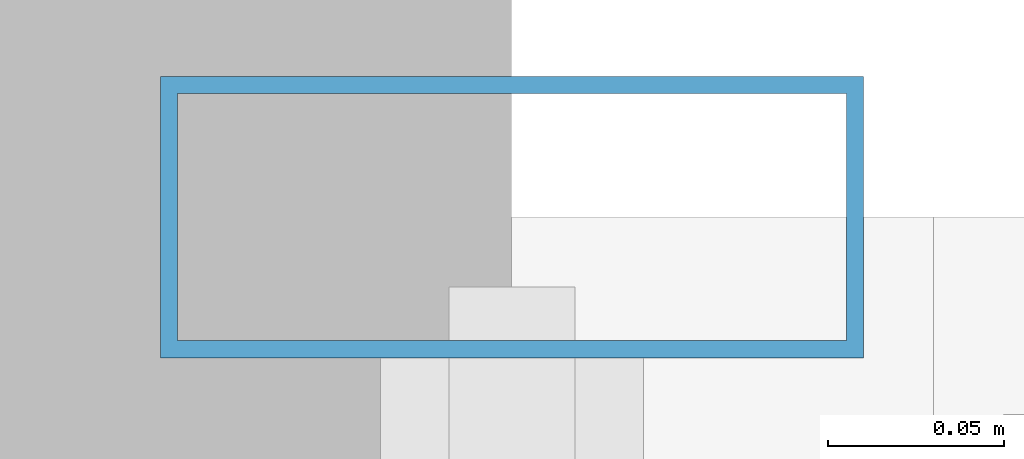
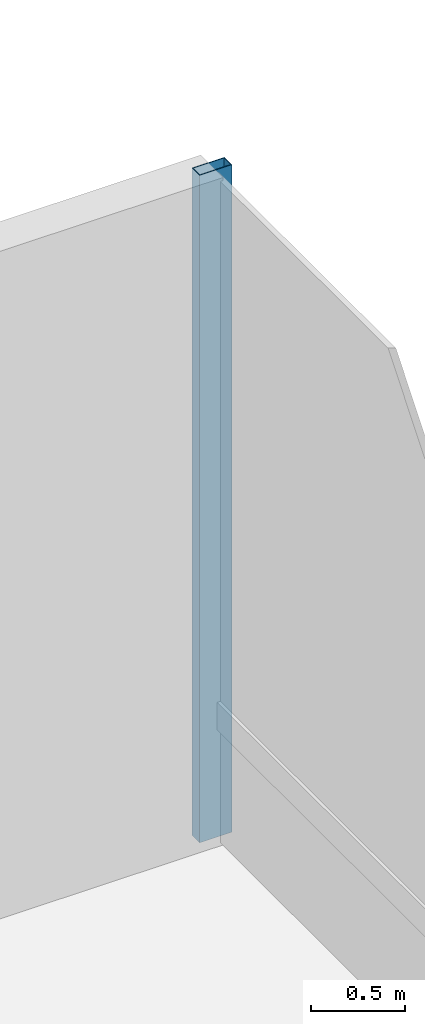
# One storey, part 26 of 33: 1 member, 1 element without a shape of its own.
"""IFC4 building model written with IfcOpenShell, lengths in metres."""

from ifc_helpers import new_model, si_unit, direction, frame, origin, origin_2d, place, context, subcontext, project, spatial, hollow_rectangle, extrude, material, layer, layer_set, material_profile, profile_set, type_object, element, aggregate, save


model = new_model("IFC4")

# Units and contexts
model_context = context("Model", 3, precision=1e-05, world=origin(), true_north=direction((0.0, 1.0)))
body_context = subcontext(model_context, "Body", "Model", "MODEL_VIEW")
ifc_project = project(units=[si_unit("LENGTHUNIT", "METRE"), si_unit("AREAUNIT", "SQUARE_METRE"), si_unit("VOLUMEUNIT", "CUBIC_METRE"), si_unit("PLANEANGLEUNIT", "RADIAN"), si_unit("MASSUNIT", "GRAM", prefix="KILO")], contexts=[model_context])

# Site, building, storey
site_placement = place(None, origin())
site = spatial("IfcSite", under=ifc_project, at=site_placement, CompositionType="ELEMENT")
building_placement = place(site_placement, origin())
building = spatial("IfcBuilding", under=site, at=building_placement, Name="Drelvath Grand Hotel", CompositionType="ELEMENT")
storey_placement = place(building_placement, frame((0.0, 0.0, 87.199951171875)))
storey = spatial("IfcBuildingStorey", under=building, at=storey_placement, Name="L21", CompositionType="ELEMENT", Elevation=87.199951171875)

# Curtain wall, member
ifc_material = material(Name="Champagne Bronze Anodised Aluminium Frame", Category="aluminium")
ifc_layer = layer(ifc_material, 0.199951171875)
ifc_layer_set = layer_set([ifc_layer], Name="Champagne Bronze Anodised Aluminium Frame")
curtain_wall_type = type_object("IfcCurtainWallType", Name="Stick Curtain Wall CW-03 Champagne Bronze Mid-Rise", PredefinedType="NOTDEFINED", material=ifc_layer_set)
curtain_wall_placement = place(storey_placement, origin())
curtain_wall = element("IfcCurtainWall", 1, at=curtain_wall_placement, inside=storey, type_object=curtain_wall_type, Name="L21 CW-03 Curtain Wall CW03-L21-EN3", PredefinedType="NOTDEFINED")
ifc_material_profile = material_profile(ifc_material, hollow_rectangle(XDim=0.080078125, YDim=0.199951171875, WallThickness=0.0048828125, at=origin_2d()), Name="HSS200X80X5")
ifc_profile_set = profile_set([ifc_material_profile], Name="Champagne Bronze Anodised Aluminium Frame")
member_type = type_object("IfcMemberType", Name="Curtain Wall Vertical Mullion CW-03 HSS200X80X5", PredefinedType="MULLION", material=ifc_profile_set)
member_placement = place(storey_placement, frame((22.080078125, 49.5, 0.0), z_axis=(0.0, 0.0, 1.0), x_axis=(0.0, 1.0, 0.0)))
member = element("IfcMember", 2, at=member_placement, type_object=member_type, Name="CW03-L21-EN3 Mullion 1", PredefinedType="MULLION", context=body_context, shape_type="SweptSolid", body=[
    extrude(hollow_rectangle(XDim=0.080078125, YDim=0.199951171875, WallThickness=0.0048828125, at=origin_2d()), origin(), (0.0, 0.0, 1.0), 4.340087890625),
])
aggregate(curtain_wall, [member])

save(model, "model.ifc")
